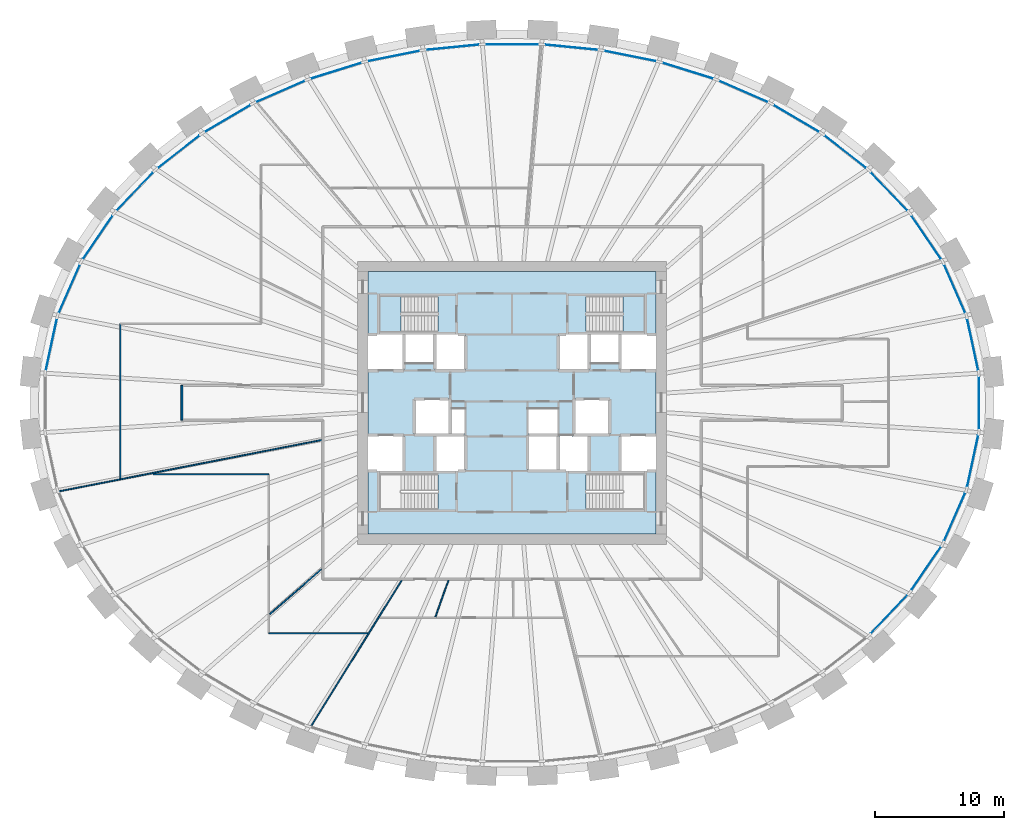
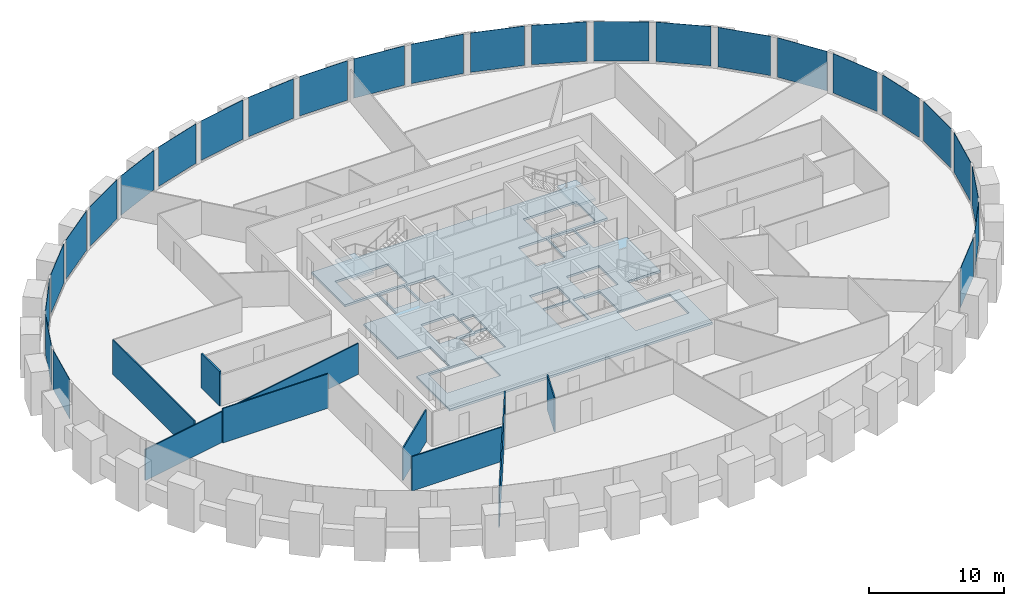
# One storey, part 5 of 10: 26 plates, 8 walls, 3 slabs, 3 elements without a shape of their own.
"""IFC4 building model written with IfcOpenShell, lengths in metres."""

from ifc_helpers import new_model, si_unit, direction, frame, frame_2d, origin, origin_2d, place, context, subcontext, project, spatial, polyline, rectangle, outline, extrude, source, transform, mapped, material, layer, layer_set, type_object, element, aggregate, save


model = new_model("IFC4")

# Units and contexts
model_context = context("Model", 3, precision=1e-05, world=origin(), true_north=direction((0.0, 1.0)))
body_context = subcontext(model_context, "Body", "Model", "MODEL_VIEW")
ifc_project = project(units=[si_unit("LENGTHUNIT", "METRE"), si_unit("AREAUNIT", "SQUARE_METRE"), si_unit("VOLUMEUNIT", "CUBIC_METRE"), si_unit("PLANEANGLEUNIT", "RADIAN"), si_unit("MASSUNIT", "GRAM", prefix="KILO")], contexts=[model_context])

# Site, building, storey
site_placement = place(None, origin())
site = spatial("IfcSite", under=ifc_project, at=site_placement, CompositionType="ELEMENT")
building_placement = place(site_placement, origin())
building = spatial("IfcBuilding", under=site, at=building_placement, Name="Embergate Tower", CompositionType="ELEMENT")
storey_placement = place(building_placement, frame((0.0, 0.0, 167.699951171875)))
storey = spatial("IfcBuildingStorey", under=building, at=storey_placement, Name="L37", CompositionType="ELEMENT", Elevation=167.699951171875)

# Curtain wall, plates
ifc_material_1 = material(Name="Aluminium and glass", Category="aluminium")
curtain_wall_type = type_object("IfcCurtainWallType", Name="Recessed office glazing", PredefinedType="NOTDEFINED", material=ifc_material_1)
curtain_wall_placement = place(storey_placement, origin())
curtain_wall = element("IfcCurtainWall", 1, at=curtain_wall_placement, inside=storey, type_object=curtain_wall_type, Name="Recessed office glazing ring", ObjectType="RECESSED OFFICE GLAZING", PredefinedType="USERDEFINED")
ifc_material_2 = material(Name="Triple glazing, low-emissivity coating", Category="glass")
ifc_layer_1 = layer(ifc_material_2, 0.035888671875)
ifc_layer_set_1 = layer_set([ifc_layer_1], Name="Triple glazing, low-emissivity coating")
plate_type = type_object("IfcPlateType", Name="Office glazing unit", PredefinedType="CURTAIN_PANEL", material=ifc_layer_set_1)
shared_shape_1 = source(origin(), body_context, "Body", "SweptSolid", [
    extrude(rectangle(XDim=4.05810546875, YDim=0.035888671875, at=origin_2d()), origin(), (0.0, 0.0, 1.0), 3.550048828125),
])
plate_1_placement = place(storey_placement, frame((35.7998046875, 4.525634765625, 0.14990234375), z_axis=(0.0, 0.0, 1.0), x_axis=(-0.210398391177, 0.97761573074, 0.0)))
plate_1 = element("IfcPlate", 2, at=plate_1_placement, type_object=plate_type, Name="CW panel 1.1", PredefinedType="CURTAIN_PANEL", context=body_context, shape_type="MappedRepresentation", body=[
    mapped(shared_shape_1, transform((0.0, 0.0, 0.0))),
])
plate_2_placement = place(storey_placement, frame((-35.7998046875, 4.525634765625, 0.14990234375), z_axis=(0.0, 0.0, 1.0), x_axis=(-0.210398391177, -0.97761573074, 0.0)))
plate_2 = element("IfcPlate", 3, at=plate_2_placement, type_object=plate_type, Name="CW panel 21.1", PredefinedType="CURTAIN_PANEL", context=body_context, shape_type="MappedRepresentation", body=[
    mapped(shared_shape_1, transform((0.0, 0.0, 0.0))),
])
plate_3_placement = place(storey_placement, frame((35.7998046875, -4.525634765625, 0.14990234375), z_axis=(0.0, 0.0, 1.0), x_axis=(0.210398391177, 0.97761573074, 0.0)))
plate_3 = element("IfcPlate", 4, at=plate_3_placement, type_object=plate_type, Name="CW panel 43.1", PredefinedType="CURTAIN_PANEL", context=body_context, shape_type="MappedRepresentation", body=[
    mapped(shared_shape_1, transform((0.0, 0.0, 0.0))),
])
shared_shape_2 = source(origin(), body_context, "Body", "SweptSolid", [
    extrude(rectangle(XDim=4.065185546875, YDim=0.035888671875, at=origin_2d()), origin(), (0.0, 0.0, 1.0), 3.550048828125),
])
plate_4_placement = place(storey_placement, frame((34.397216796875, 8.863037109375, 0.14990234375), z_axis=(0.0, 0.0, 1.0), x_axis=(-0.401652101157, 0.91579232888, 0.0)))
plate_4 = element("IfcPlate", 5, at=plate_4_placement, type_object=plate_type, Name="CW panel 2.1", PredefinedType="CURTAIN_PANEL", context=body_context, shape_type="MappedRepresentation", body=[
    mapped(shared_shape_2, transform((0.0, 0.0, 0.0))),
])
plate_5_placement = place(storey_placement, frame((-34.397216796875, 8.863037109375, 0.14990234375), z_axis=(0.0, 0.0, 1.0), x_axis=(-0.401652101157, -0.91579232888, 0.0)))
plate_5 = element("IfcPlate", 6, at=plate_5_placement, type_object=plate_type, Name="CW panel 20.1", PredefinedType="CURTAIN_PANEL", context=body_context, shape_type="MappedRepresentation", body=[
    mapped(shared_shape_2, transform((0.0, 0.0, 0.0))),
])
plate_6_placement = place(storey_placement, frame((34.397216796875, -8.863037109375, 0.14990234375), z_axis=(0.0, 0.0, 1.0), x_axis=(0.401652101157, 0.91579232888, 0.0)))
plate_6 = element("IfcPlate", 7, at=plate_6_placement, type_object=plate_type, Name="CW panel 42.1", PredefinedType="CURTAIN_PANEL", context=body_context, shape_type="MappedRepresentation", body=[
    mapped(shared_shape_2, transform((0.0, 0.0, 0.0))),
])
shared_shape_3 = source(origin(), body_context, "Body", "SweptSolid", [
    extrude(rectangle(XDim=4.073974609375, YDim=0.035888671875, at=origin_2d()), origin(), (0.0, 0.0, 1.0), 3.550048828125),
])
plate_7_placement = place(storey_placement, frame((32.184814453125, 12.86181640625, 0.14990234375), z_axis=(0.0, 0.0, 1.0), x_axis=(-0.562341741915, 0.826904931234, 0.0)))
plate_7 = element("IfcPlate", 8, at=plate_7_placement, type_object=plate_type, Name="CW panel 3.1", PredefinedType="CURTAIN_PANEL", context=body_context, shape_type="MappedRepresentation", body=[
    mapped(shared_shape_3, transform((0.0, 0.0, 0.0))),
])
plate_8_placement = place(storey_placement, frame((-32.184814453125, 12.86181640625, 0.14990234375), z_axis=(0.0, 0.0, 1.0), x_axis=(-0.562341741915, -0.826904931234, 0.0)))
plate_8 = element("IfcPlate", 9, at=plate_8_placement, type_object=plate_type, Name="CW panel 19.1", PredefinedType="CURTAIN_PANEL", context=body_context, shape_type="MappedRepresentation", body=[
    mapped(shared_shape_3, transform((0.0, 0.0, 0.0))),
])
plate_9_placement = place(storey_placement, frame((32.184814453125, -12.86181640625, 0.14990234375), z_axis=(0.0, 0.0, 1.0), x_axis=(0.562341741915, 0.826904931234, 0.0)))
plate_9 = element("IfcPlate", 10, at=plate_9_placement, type_object=plate_type, Name="CW panel 41.1", PredefinedType="CURTAIN_PANEL", context=body_context, shape_type="MappedRepresentation", body=[
    mapped(shared_shape_3, transform((0.0, 0.0, 0.0))),
])
shared_shape_4 = source(origin(), body_context, "Body", "SweptSolid", [
    extrude(rectangle(XDim=4.08251953125, YDim=0.035888671875, at=origin_2d()), origin(), (0.0, 0.0, 1.0), 3.550048828125),
])
plate_10_placement = place(storey_placement, frame((29.304931640625, 16.4267578125, 0.14990234375), z_axis=(0.0, 0.0, 1.0), x_axis=(-0.690135047526, 0.723680603703, 0.0)))
plate_10 = element("IfcPlate", 11, at=plate_10_placement, type_object=plate_type, Name="CW panel 4.1", PredefinedType="CURTAIN_PANEL", context=body_context, shape_type="MappedRepresentation", body=[
    mapped(shared_shape_4, transform((0.0, 0.0, 0.0))),
])
plate_11_placement = place(storey_placement, frame((-29.304931640625, 16.4267578125, 0.14990234375), z_axis=(0.0, 0.0, 1.0), x_axis=(-0.690135047526, -0.723680603703, 0.0)))
plate_11 = element("IfcPlate", 12, at=plate_11_placement, type_object=plate_type, Name="CW panel 18.1", PredefinedType="CURTAIN_PANEL", context=body_context, shape_type="MappedRepresentation", body=[
    mapped(shared_shape_4, transform((0.0, 0.0, 0.0))),
])
plate_12_placement = place(storey_placement, frame((29.304931640625, -16.4267578125, 0.14990234375), z_axis=(0.0, 0.0, 1.0), x_axis=(0.690135047526, 0.723680603703, 0.0)))
plate_12 = element("IfcPlate", 13, at=plate_12_placement, type_object=plate_type, Name="CW panel 40.1", PredefinedType="CURTAIN_PANEL", context=body_context, shape_type="MappedRepresentation", body=[
    mapped(shared_shape_4, transform((0.0, 0.0, 0.0))),
])
shared_shape_5 = source(origin(), body_context, "Body", "SweptSolid", [
    extrude(rectangle(XDim=4.090087890625, YDim=0.035888671875, at=origin_2d()), origin(), (0.0, 0.0, 1.0), 3.550048828125),
])
plate_13_placement = place(storey_placement, frame((25.899658203125, 19.510498046875, 0.14990234375), z_axis=(0.0, 0.0, 1.0), x_axis=(-0.788320119254, 0.615265300158, 0.0)))
plate_13 = element("IfcPlate", 14, at=plate_13_placement, type_object=plate_type, Name="CW panel 5.1", PredefinedType="CURTAIN_PANEL", context=body_context, shape_type="MappedRepresentation", body=[
    mapped(shared_shape_5, transform((0.0, 0.0, 0.0))),
])
plate_14_placement = place(storey_placement, frame((-25.899658203125, 19.510498046875, 0.14990234375), z_axis=(0.0, 0.0, 1.0), x_axis=(-0.788320119254, -0.615265300158, 0.0)))
plate_14 = element("IfcPlate", 15, at=plate_14_placement, type_object=plate_type, Name="CW panel 17.1", PredefinedType="CURTAIN_PANEL", context=body_context, shape_type="MappedRepresentation", body=[
    mapped(shared_shape_5, transform((0.0, 0.0, 0.0))),
])
shared_shape_6 = source(origin(), body_context, "Body", "SweptSolid", [
    extrude(rectangle(XDim=4.09619140625, YDim=0.035888671875, at=origin_2d()), origin(), (0.0, 0.0, 1.0), 3.550048828125),
])
plate_15_placement = place(storey_placement, frame((22.0927734375, 22.098388671875, 0.14990234375), z_axis=(0.0, 0.0, 1.0), x_axis=(-0.862053167811, 0.50681785275, 0.0)))
plate_15 = element("IfcPlate", 16, at=plate_15_placement, type_object=plate_type, Name="CW panel 6.1", PredefinedType="CURTAIN_PANEL", context=body_context, shape_type="MappedRepresentation", body=[
    mapped(shared_shape_6, transform((0.0, 0.0, 0.0))),
])
plate_16_placement = place(storey_placement, frame((-22.0927734375, 22.098388671875, 0.14990234375), z_axis=(0.0, 0.0, 1.0), x_axis=(-0.862053167811, -0.50681785275, 0.0)))
plate_16 = element("IfcPlate", 17, at=plate_16_placement, type_object=plate_type, Name="CW panel 16.1", PredefinedType="CURTAIN_PANEL", context=body_context, shape_type="MappedRepresentation", body=[
    mapped(shared_shape_6, transform((0.0, 0.0, 0.0))),
])
shared_shape_7 = source(origin(), body_context, "Body", "SweptSolid", [
    extrude(rectangle(XDim=4.1005859375, YDim=0.035888671875, at=origin_2d()), origin(), (0.0, 0.0, 1.0), 3.550048828125),
])
plate_17_placement = place(storey_placement, frame((17.986328125, 24.193603515625, 0.14990234375), z_axis=(0.0, 0.0, 1.0), x_axis=(-0.916236211741, 0.400638495772, 0.0)))
plate_17 = element("IfcPlate", 18, at=plate_17_placement, type_object=plate_type, Name="CW panel 7.1", PredefinedType="CURTAIN_PANEL", context=body_context, shape_type="MappedRepresentation", body=[
    mapped(shared_shape_7, transform((0.0, 0.0, 0.0))),
])
plate_18_placement = place(storey_placement, frame((-17.986328125, 24.193603515625, 0.14990234375), z_axis=(0.0, 0.0, 1.0), x_axis=(-0.916236211741, -0.400638495772, 0.0)))
plate_18 = element("IfcPlate", 19, at=plate_18_placement, type_object=plate_type, Name="CW panel 15.1", PredefinedType="CURTAIN_PANEL", context=body_context, shape_type="MappedRepresentation", body=[
    mapped(shared_shape_7, transform((0.0, 0.0, 0.0))),
])
shared_shape_8 = source(origin(), body_context, "Body", "SweptSolid", [
    extrude(rectangle(XDim=4.10400390625, YDim=0.035888671875, at=origin_2d()), origin(), (0.0, 0.0, 1.0), 3.550048828125),
])
plate_19_placement = place(storey_placement, frame((13.662109375, 25.806640625, 0.14990234375), z_axis=(0.0, 0.0, 1.0), x_axis=(-0.954772217174, 0.297338213676, 0.0)))
plate_19 = element("IfcPlate", 20, at=plate_19_placement, type_object=plate_type, Name="CW panel 8.1", PredefinedType="CURTAIN_PANEL", context=body_context, shape_type="MappedRepresentation", body=[
    mapped(shared_shape_8, transform((0.0, 0.0, 0.0))),
])
plate_20_placement = place(storey_placement, frame((-13.662109375, 25.806640625, 0.14990234375), z_axis=(0.0, 0.0, 1.0), x_axis=(-0.954772217174, -0.297338213676, 0.0)))
plate_20 = element("IfcPlate", 21, at=plate_20_placement, type_object=plate_type, Name="CW panel 14.1", PredefinedType="CURTAIN_PANEL", context=body_context, shape_type="MappedRepresentation", body=[
    mapped(shared_shape_8, transform((0.0, 0.0, 0.0))),
])
shared_shape_9 = source(origin(), body_context, "Body", "SweptSolid", [
    extrude(rectangle(XDim=4.106201171875, YDim=0.035888671875, at=origin_2d()), origin(), (0.0, 0.0, 1.0), 3.550048828125),
])
plate_21_placement = place(storey_placement, frame((9.18701171875, 26.948974609375, 0.14990234375), z_axis=(0.0, 0.0, 1.0), x_axis=(-0.980475907409, 0.196639250889, 0.0)))
plate_21 = element("IfcPlate", 22, at=plate_21_placement, type_object=plate_type, Name="CW panel 9.1", PredefinedType="CURTAIN_PANEL", context=body_context, shape_type="MappedRepresentation", body=[
    mapped(shared_shape_9, transform((0.0, 0.0, 0.0))),
])
plate_22_placement = place(storey_placement, frame((-9.18701171875, 26.948974609375, 0.14990234375), z_axis=(0.0, 0.0, 1.0), x_axis=(-0.980475907409, -0.196639250889, 0.0)))
plate_22 = element("IfcPlate", 23, at=plate_22_placement, type_object=plate_type, Name="CW panel 13.1", PredefinedType="CURTAIN_PANEL", context=body_context, shape_type="MappedRepresentation", body=[
    mapped(shared_shape_9, transform((0.0, 0.0, 0.0))),
])
shared_shape_10 = source(origin(), body_context, "Body", "SweptSolid", [
    extrude(rectangle(XDim=4.107421875, YDim=0.035888671875, at=origin_2d()), origin(), (0.0, 0.0, 1.0), 3.550048828125),
])
plate_23_placement = place(storey_placement, frame((4.616455078125, 27.630126953125, 0.14990234375), z_axis=(0.0, 0.0, 1.0), x_axis=(-0.995203184788, 0.097829550688, 0.0)))
plate_23 = element("IfcPlate", 24, at=plate_23_placement, type_object=plate_type, Name="CW panel 10.1", PredefinedType="CURTAIN_PANEL", context=body_context, shape_type="MappedRepresentation", body=[
    mapped(shared_shape_10, transform((0.0, 0.0, 0.0))),
])
plate_24_placement = place(storey_placement, frame((-4.616455078125, 27.630126953125, 0.14990234375), z_axis=(0.0, 0.0, 1.0), x_axis=(-0.995203184788, -0.097829550688, 0.0)))
plate_24 = element("IfcPlate", 25, at=plate_24_placement, type_object=plate_type, Name="CW panel 12.1", PredefinedType="CURTAIN_PANEL", context=body_context, shape_type="MappedRepresentation", body=[
    mapped(shared_shape_10, transform((0.0, 0.0, 0.0))),
])
shared_shape_11 = source(origin(), body_context, "Body", "SweptSolid", [
    extrude(rectangle(XDim=4.10791015625, YDim=0.035888671875, at=origin_2d()), origin(), (0.0, 0.0, 1.0), 3.550048828125),
])
plate_25_placement = place(storey_placement, frame((0.0, 27.8564453125, 0.14990234375), z_axis=(0.0, 0.0, 1.0), x_axis=(-1.0, 0.0, 0.0)))
plate_25 = element("IfcPlate", 26, at=plate_25_placement, type_object=plate_type, Name="CW panel 11.1", PredefinedType="CURTAIN_PANEL", context=body_context, shape_type="MappedRepresentation", body=[
    mapped(shared_shape_11, transform((0.0, 0.0, 0.0))),
])
shared_shape_12 = source(origin(), body_context, "Body", "SweptSolid", [
    extrude(rectangle(XDim=4.055419921875, YDim=0.035888671875, at=origin_2d()), origin(), (0.0, 0.0, 1.0), 3.550048828125),
])
plate_26_placement = place(storey_placement, frame((36.281494140625, 0.0, 0.14990234375), z_axis=(0.0, 0.0, 1.0), x_axis=(0.0, 1.0, 0.0)))
plate_26 = element("IfcPlate", 27, at=plate_26_placement, type_object=plate_type, Name="CW panel 44.1", PredefinedType="CURTAIN_PANEL", context=body_context, shape_type="MappedRepresentation", body=[
    mapped(shared_shape_12, transform((0.0, 0.0, 0.0))),
])
aggregate(curtain_wall, [plate_1, plate_4, plate_7, plate_10, plate_13, plate_15, plate_17, plate_19, plate_21, plate_23, plate_25, plate_24, plate_22, plate_20, plate_18, plate_16, plate_14, plate_11, plate_8, plate_5, plate_2, plate_12, plate_9, plate_6, plate_3, plate_26])

# Stair, slab
ifc_material_3 = material(Name="Exit stair")
stair_type = type_object("IfcStairType", Name="Exit stair", PredefinedType="HALF_TURN_STAIR", material=ifc_material_3)
stair_1_placement = place(storey_placement, origin())
stair_1 = element("IfcStair", 28, at=stair_1_placement, inside=storey, type_object=stair_type, Name="L37 Exit stair 1", PredefinedType="HALF_TURN_STAIR")
ifc_material_4 = material(Name="Concrete C40", Category="concrete")
ifc_layer_2 = layer(ifc_material_4, 0.199951171875)
ifc_layer_set_2 = layer_set([ifc_layer_2], Name="Concrete C40")
slab_type_1 = type_object("IfcSlabType", Name="Stair landing reinforced concrete", PredefinedType="LANDING", material=ifc_layer_set_2)
shared_shape_13 = source(origin(), body_context, "Body", "SweptSolid", [
    extrude(outline(polyline([(0.0, 0.0), (1.68994140625, 0.0), (1.68994140625, 2.800048828125), (0.0, 2.800048828125), (0.0, 0.0)])), origin(), (0.0, 0.0, 1.0), 0.199951171875),
])
slab_1_placement = place(storey_placement, frame((-10.300048828125, 5.5, 1.75)))
slab_1 = element("IfcSlab", 29, at=slab_1_placement, type_object=slab_type_1, Name="ST1 landing 1", PredefinedType="LANDING", context=body_context, shape_type="MappedRepresentation", body=[
    mapped(shared_shape_13, transform((0.0, 0.0, 0.0))),
])
aggregate(stair_1, [slab_1])

stair_2_placement = place(storey_placement, origin())
stair_2 = element("IfcStair", 30, at=stair_2_placement, inside=storey, type_object=stair_type, Name="L37 Exit stair 2", PredefinedType="HALF_TURN_STAIR")
slab_2_placement = place(storey_placement, frame((8.610107421875, 5.5, 1.75)))
slab_2 = element("IfcSlab", 31, at=slab_2_placement, type_object=slab_type_1, Name="ST2 landing 1", PredefinedType="LANDING", context=body_context, shape_type="MappedRepresentation", body=[
    mapped(shared_shape_13, transform((0.0, 0.0, 0.0))),
])
aggregate(stair_2, [slab_2])

# Slab
ifc_layer_3 = layer(ifc_material_4, 0.199951171875)
ifc_layer_set_3 = layer_set([ifc_layer_3], Name="Concrete C40")
slab_type_2 = type_object("IfcSlabType", Name="Core floor slab 200 reinforced concrete", PredefinedType="FLOOR", material=ifc_layer_set_3)
shared_shape_14 = source(origin(), body_context, "Body", "SweptSolid", [
    extrude(outline(polyline([(0.0, 0.0), (22.39990234375, 0.0), (22.39990234375, 4.89990234375), (19.599853515625, 4.89990234375), (19.599853515625, 7.699951171875), (22.39990234375, 7.699951171875), (22.39990234375, 12.699951171875), (19.599853515625, 12.699951171875), (19.599853515625, 15.5), (22.39990234375, 15.5), (22.39990234375, 20.39990234375), (0.0, 20.39990234375), (0.0, 15.5), (2.800048828125, 15.5), (2.800048828125, 12.699951171875), (0.0, 12.699951171875), (0.0, 7.699951171875), (2.800048828125, 7.699951171875), (2.800048828125, 4.89990234375), (0.0, 4.89990234375), (0.0, 0.0)]), holes=[polyline([(0.89990234375, 1.89990234375), (0.89990234375, 4.699951171875), (5.43994140625, 4.699951171875), (5.43994140625, 1.89990234375), (0.89990234375, 1.89990234375)]), polyline([(16.9599609375, 1.89990234375), (16.9599609375, 4.699951171875), (21.5, 4.699951171875), (21.5, 1.89990234375), (16.9599609375, 1.89990234375)]), polyline([(5.199951171875, 4.89990234375), (5.199951171875, 7.574951171875), (6.52490234375, 7.574951171875), (6.52490234375, 7.699951171875), (7.599853515625, 7.699951171875), (7.599853515625, 4.89990234375), (5.199951171875, 4.89990234375)]), polyline([(12.39990234375, 4.89990234375), (12.39990234375, 7.699951171875), (14.675048828125, 7.699951171875), (14.675048828125, 4.89990234375), (12.39990234375, 4.89990234375)]), polyline([(14.925048828125, 4.89990234375), (14.925048828125, 7.699951171875), (15.875, 7.699951171875), (15.875, 7.574951171875), (17.199951171875, 7.574951171875), (17.199951171875, 4.89990234375), (14.925048828125, 4.89990234375)]), polyline([(3.599853515625, 7.699951171875), (3.599853515625, 10.5), (6.39990234375, 10.5), (6.39990234375, 7.824951171875), (5.074951171875, 7.824951171875), (5.074951171875, 7.699951171875), (3.599853515625, 7.699951171875)]), polyline([(17.324951171875, 7.699951171875), (17.324951171875, 7.824951171875), (16.0, 7.824951171875), (16.0, 10.5), (18.800048828125, 10.5), (18.800048828125, 7.699951171875), (17.324951171875, 7.699951171875)]), polyline([(6.52490234375, 7.824951171875), (6.52490234375, 9.699951171875), (7.599853515625, 9.699951171875), (7.599853515625, 7.824951171875), (6.52490234375, 7.824951171875)]), polyline([(12.39990234375, 7.824951171875), (12.39990234375, 9.699951171875), (14.800048828125, 9.699951171875), (14.800048828125, 7.824951171875), (14.675048828125, 7.824951171875), (12.39990234375, 7.824951171875)]), polyline([(5.199951171875, 12.699951171875), (5.199951171875, 15.5), (7.599853515625, 15.5), (7.599853515625, 12.699951171875), (5.199951171875, 12.699951171875)]), polyline([(14.800048828125, 12.699951171875), (14.800048828125, 15.5), (17.199951171875, 15.5), (17.199951171875, 12.699951171875), (14.800048828125, 12.699951171875)]), polyline([(2.925048828125, 13.300048828125), (2.925048828125, 15.5), (5.074951171875, 15.5), (5.074951171875, 13.300048828125), (2.925048828125, 13.300048828125)]), polyline([(17.324951171875, 13.300048828125), (17.324951171875, 15.5), (19.474853515625, 15.5), (19.474853515625, 13.300048828125), (17.324951171875, 13.300048828125)]), polyline([(0.89990234375, 15.699951171875), (0.89990234375, 18.5), (5.43994140625, 18.5), (5.43994140625, 15.699951171875), (0.89990234375, 15.699951171875)]), polyline([(16.9599609375, 15.699951171875), (16.9599609375, 18.5), (21.5, 18.5), (21.5, 15.699951171875), (16.9599609375, 15.699951171875)])]), origin(), (0.0, 0.0, 1.0), 0.199951171875),
])
slab_3_placement = place(storey_placement, frame((-11.199951171875, -10.199951171875, -0.199951171875)))
element("IfcSlab", 32, at=slab_3_placement, inside=storey, type_object=slab_type_2, Name="Core floor slab", PredefinedType="FLOOR", context=body_context, shape_type="MappedRepresentation", body=[
    mapped(shared_shape_14, transform((0.0, 0.0, 0.0))),
])

# Walls
ifc_material_5 = material(Name="Partition dry-lined 100")
ifc_layer_4 = layer(ifc_material_5, 0.10009765625)
ifc_layer_set_4 = layer_set([ifc_layer_4], Name="Partition dry-lined 100")
wall_type_1 = type_object("IfcWallType", Name="Partition dry-lined 100", PredefinedType="PARTITIONING", material=ifc_layer_set_4)
shared_shape_15 = source(origin(), body_context, "Body", "SweptSolid", [
    extrude(rectangle(XDim=20.863525390625, YDim=0.10009765625, at=frame_2d((10.431640625, 0.0))), origin(), (0.0, 0.0, 1.0), 2.800048828125),
])
wall_1_placement = place(storey_placement, frame((-14.784912109375, -2.888916015625, 0.0), z_axis=(0.0, 0.0, 1.0), x_axis=(-0.981428685666, -0.19182735715, 0.0)))
element("IfcWall", 33, at=wall_1_placement, inside=storey, type_object=wall_type_1, Name="IP-1 wall", PredefinedType="PARTITIONING", context=body_context, shape_type="MappedRepresentation", body=[
    mapped(shared_shape_15, transform((0.0, 0.0, 0.0))),
])
ifc_material_6 = material(Name="Corridor wall dry-lined 150")
ifc_layer_5 = layer(ifc_material_6, 0.14990234375)
ifc_layer_set_5 = layer_set([ifc_layer_5], Name="Corridor wall dry-lined 150")
wall_type_2 = type_object("IfcWallType", Name="Corridor wall dry-lined 150", PredefinedType="PARTITIONING", material=ifc_layer_set_5)
shared_shape_16 = source(origin(), body_context, "Body", "SweptSolid", [
    extrude(rectangle(XDim=2.7001953125, YDim=0.14990234375, at=frame_2d((1.35009765625, 0.0))), origin(), (0.0, 0.0, 1.0), 3.10009765625),
])
wall_2_placement = place(storey_placement, frame((-25.64990234375, -1.35009765625, 0.0), z_axis=(0.0, 0.0, 1.0), x_axis=(0.0, 1.0, 0.0)))
element("IfcWall", 34, at=wall_2_placement, inside=storey, type_object=wall_type_2, Name="IP-2 wall", PredefinedType="PARTITIONING", context=body_context, shape_type="MappedRepresentation", body=[
    mapped(shared_shape_16, transform((0.0, 0.0, 0.0))),
])
shared_shape_17 = source(origin(), body_context, "Body", "SweptSolid", [
    extrude(rectangle(XDim=5.321044921875, YDim=0.10009765625, at=frame_2d((2.66064453125, 0.0))), origin(), (0.0, 0.0, 1.0), 2.900146484375),
])
wall_3_placement = place(storey_placement, frame((-14.80810546875, -12.923095703125, 0.0), z_axis=(0.0, 0.0, 1.0), x_axis=(-0.753383328619, -0.65758159962, 0.0)))
element("IfcWall", 35, at=wall_3_placement, inside=storey, type_object=wall_type_1, Name="IP-1 wall", PredefinedType="PARTITIONING", context=body_context, shape_type="MappedRepresentation", body=[
    mapped(shared_shape_17, transform((0.0, 0.0, 0.0))),
])
shared_shape_18 = source(origin(), body_context, "Body", "SweptSolid", [
    extrude(rectangle(XDim=8.984130859375, YDim=0.10009765625, at=frame_2d((4.4921875, 0.0))), origin(), (0.0, 0.0, 1.0), 3.10009765625),
])
wall_4_placement = place(storey_placement, frame((-18.89990234375, -5.550048828125, 0.0), z_axis=(0.0, 0.0, 1.0), x_axis=(-1.0, 0.0, 0.0)))
element("IfcWall", 36, at=wall_4_placement, inside=storey, type_object=wall_type_1, Name="IP-1 wall", PredefinedType="PARTITIONING", context=body_context, shape_type="MappedRepresentation", body=[
    mapped(shared_shape_18, transform((0.0, 0.0, 0.0))),
])
shared_shape_19 = source(origin(), body_context, "Body", "SweptSolid", [
    extrude(rectangle(XDim=13.40380859375, YDim=0.10009765625, at=frame_2d((6.701904296875, 0.0))), origin(), (0.0, 0.0, 1.0), 2.900146484375),
])
wall_5_placement = place(storey_placement, frame((-8.575927734375, -13.801025390625, 0.0), z_axis=(0.0, 0.0, 1.0), x_axis=(-0.527762253898, -0.849392137567, 0.0)))
element("IfcWall", 37, at=wall_5_placement, inside=storey, type_object=wall_type_1, Name="IP-1 wall", PredefinedType="PARTITIONING", context=body_context, shape_type="MappedRepresentation", body=[
    mapped(shared_shape_19, transform((0.0, 0.0, 0.0))),
])
shared_shape_20 = source(origin(), body_context, "Body", "SweptSolid", [
    extrude(rectangle(XDim=7.68701171875, YDim=0.10009765625, at=frame_2d((3.843505859375, 0.0))), origin(), (0.0, 0.0, 1.0), 3.10009765625),
])
wall_6_placement = place(storey_placement, frame((-11.212890625, -17.89990234375, 0.0), z_axis=(0.0, 0.0, 1.0), x_axis=(-1.0, 0.0, 0.0)))
element("IfcWall", 38, at=wall_6_placement, inside=storey, type_object=wall_type_1, Name="IP-1 wall", PredefinedType="PARTITIONING", context=body_context, shape_type="MappedRepresentation", body=[
    mapped(shared_shape_20, transform((0.0, 0.0, 0.0))),
])
shared_shape_21 = source(origin(), body_context, "Body", "SweptSolid", [
    extrude(rectangle(XDim=3.017578125, YDim=0.10009765625, at=frame_2d((1.5087890625, 0.0))), origin(), (0.0, 0.0, 1.0), 3.10009765625),
])
wall_7_placement = place(storey_placement, frame((-4.93505859375, -13.7919921875, 0.0), z_axis=(0.0, 0.0, 1.0), x_axis=(-0.336976984183, -0.94151288474, 0.0)))
element("IfcWall", 39, at=wall_7_placement, inside=storey, type_object=wall_type_1, Name="IP-1 wall", PredefinedType="PARTITIONING", context=body_context, shape_type="MappedRepresentation", body=[
    mapped(shared_shape_21, transform((0.0, 0.0, 0.0))),
])
shared_shape_22 = source(origin(), body_context, "Body", "SweptSolid", [
    extrude(rectangle(XDim=12.039794921875, YDim=0.10009765625, at=frame_2d((6.02001953125, 0.0))), origin(), (0.0, 0.0, 1.0), 3.10009765625),
])
wall_8_placement = place(storey_placement, frame((-30.449951171875, 6.14990234375, 0.0), z_axis=(0.0, 0.0, 1.0), x_axis=(0.0, -1.0, 0.0)))
element("IfcWall", 40, at=wall_8_placement, inside=storey, type_object=wall_type_1, Name="IP-1 wall", PredefinedType="PARTITIONING", context=body_context, shape_type="MappedRepresentation", body=[
    mapped(shared_shape_22, transform((0.0, 0.0, 0.0))),
])

save(model, "model.ifc")
